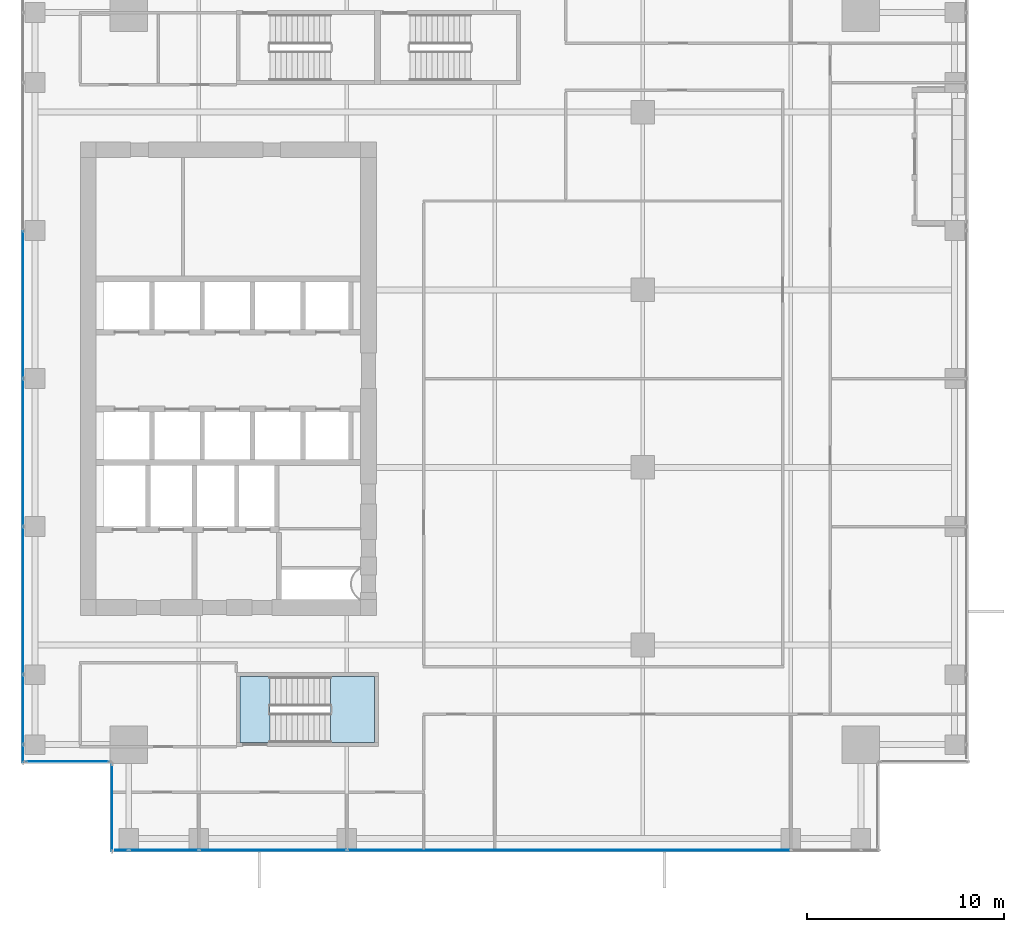
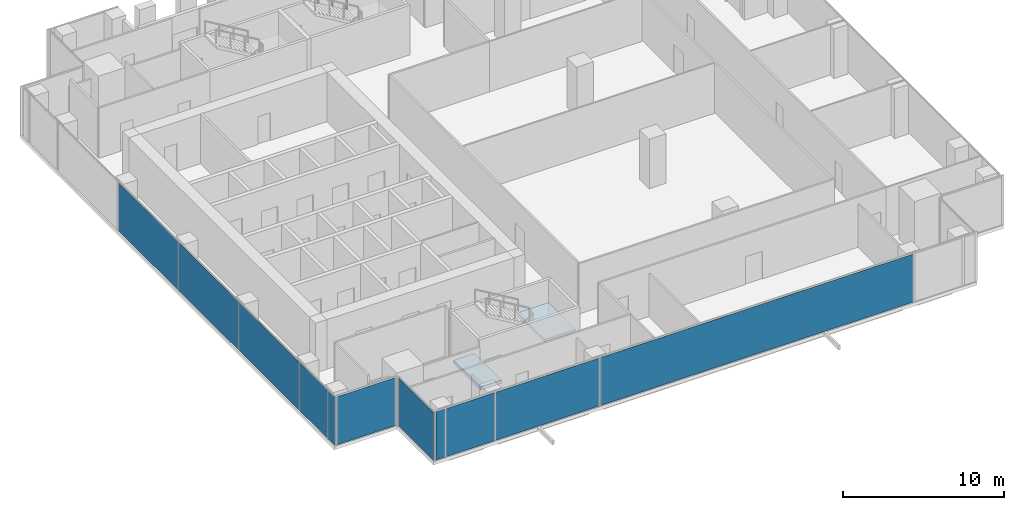
# One storey, part 29 of 40: 11 plates, 2 slabs, 5 elements without a shape of their own.
"""IFC4 building model written with IfcOpenShell, lengths in metres."""

from ifc_helpers import new_model, si_unit, direction, frame, origin, origin_2d, place, context, subcontext, project, spatial, polyline, rectangle, outline, extrude, source, transform, mapped, material, layer, layer_set, type_object, element, aggregate, save


model = new_model("IFC4")

# Units and contexts
model_context = context("Model", 3, precision=1e-05, world=origin(), true_north=direction((0.0, 1.0)))
body_context = subcontext(model_context, "Body", "Model", "MODEL_VIEW")
ifc_project = project(units=[si_unit("LENGTHUNIT", "METRE"), si_unit("AREAUNIT", "SQUARE_METRE"), si_unit("VOLUMEUNIT", "CUBIC_METRE"), si_unit("PLANEANGLEUNIT", "RADIAN"), si_unit("MASSUNIT", "GRAM", prefix="KILO")], contexts=[model_context])

# Site, building, storey
site_placement = place(None, origin())
site = spatial("IfcSite", under=ifc_project, at=site_placement, CompositionType="ELEMENT")
building_placement = place(site_placement, origin())
building = spatial("IfcBuilding", under=site, at=building_placement, Name="Khomas Fold Tower", CompositionType="ELEMENT")
storey_placement = place(building_placement, frame((0.0, 0.0, 192.699951171875)))
storey = spatial("IfcBuildingStorey", under=building, at=storey_placement, Name="L42", CompositionType="ELEMENT", Elevation=192.699951171875)

# Curtain wall, plate
ifc_material_1 = material(Name="Aluminium framed double glazing", Category="aluminium")
curtain_wall_type = type_object("IfcCurtainWallType", Name="SK-Unitised clear-glass wall, office floors CW2", PredefinedType="NOTDEFINED", material=ifc_material_1)
curtain_wall_1_placement = place(storey_placement, origin())
curtain_wall_1 = element("IfcCurtainWall", 1, at=curtain_wall_1_placement, inside=storey, type_object=curtain_wall_type, Name="CW2 corner return L42 11", PredefinedType="NOTDEFINED")
ifc_material_2 = material(Name="Clear double glazed unit")
ifc_layer_1 = layer(ifc_material_2, 0.030029296875)
ifc_layer_set_1 = layer_set([ifc_layer_1], Name="Clear double glazed unit")
plate_type = type_object("IfcPlateType", Name="SK-Unitised clear-glass wall, office floors glass panel CW2-P", PredefinedType="CURTAIN_PANEL", material=ifc_layer_set_1)
shared_shape_1 = source(origin(), body_context, "Body", "SweptSolid", [
    extrude(rectangle(XDim=4.3798828125, YDim=0.030029296875, at=origin_2d()), origin(), (0.0, 0.0, 1.0), 3.639892578125),
])
plate_1_placement = place(storey_placement, frame((7.60009765625, 5.25, 0.0), z_axis=(0.0, 0.0, 1.0), x_axis=(0.0, -1.0, 0.0)))
plate_1 = element("IfcPlate", 2, at=plate_1_placement, type_object=plate_type, Name="CW2 glass panel 1", PredefinedType="CURTAIN_PANEL", context=body_context, shape_type="MappedRepresentation", body=[
    mapped(shared_shape_1, transform((0.0, 0.0, 0.0))),
])
aggregate(curtain_wall_1, [plate_1])

# Curtain wall, plates
curtain_wall_2_placement = place(storey_placement, origin())
curtain_wall_2 = element("IfcCurtainWall", 3, at=curtain_wall_2_placement, inside=storey, type_object=curtain_wall_type, Name="CW2 run L42 00-0", PredefinedType="NOTDEFINED")
shared_shape_2 = source(origin(), body_context, "Body", "SweptSolid", [
    extrude(rectangle(XDim=0.659912109375, YDim=0.030029296875, at=origin_2d()), origin(), (0.0, 0.0, 1.0), 3.639892578125),
])
plate_2_placement = place(storey_placement, frame((8.090087890625, 3.10009765625, 0.0), z_axis=(0.0, 0.0, 1.0), x_axis=(1.0, 0.0, 0.0)))
plate_2 = element("IfcPlate", 4, at=plate_2_placement, type_object=plate_type, Name="CW2 glass panel 1", PredefinedType="CURTAIN_PANEL", context=body_context, shape_type="MappedRepresentation", body=[
    mapped(shared_shape_2, transform((0.0, 0.0, 0.0))),
])
shared_shape_3 = source(origin(), body_context, "Body", "SweptSolid", [
    extrude(rectangle(XDim=3.489990234375, YDim=0.030029296875, at=origin_2d()), origin(), (0.0, 0.0, 1.0), 3.639892578125),
])
plate_3_placement = place(storey_placement, frame((10.22509765625, 3.10009765625, 0.0), z_axis=(0.0, 0.0, 1.0), x_axis=(1.0, 0.0, 0.0)))
plate_3 = element("IfcPlate", 5, at=plate_3_placement, type_object=plate_type, Name="CW2 glass panel 2", PredefinedType="CURTAIN_PANEL", context=body_context, shape_type="MappedRepresentation", body=[
    mapped(shared_shape_3, transform((0.0, 0.0, 0.0))),
])

# Curtain wall, plate
curtain_wall_3_placement = place(storey_placement, origin())
curtain_wall_3 = element("IfcCurtainWall", 6, at=curtain_wall_3_placement, inside=storey, type_object=curtain_wall_type, Name="CW2 run L42 09-0", PredefinedType="NOTDEFINED")
plate_4_placement = place(storey_placement, frame((3.10009765625, 10.22509765625, 0.0), z_axis=(0.0, 0.0, 1.0), x_axis=(0.0, -1.0, 0.0)))
plate_4 = element("IfcPlate", 7, at=plate_4_placement, type_object=plate_type, Name="CW2 glass panel 7", PredefinedType="CURTAIN_PANEL", context=body_context, shape_type="MappedRepresentation", body=[
    mapped(shared_shape_3, transform((0.0, 0.0, 0.0))),
])

# Plate
shared_shape_4 = source(origin(), body_context, "Body", "SweptSolid", [
    extrude(rectangle(XDim=7.43994140625, YDim=0.030029296875, at=origin_2d()), origin(), (0.0, 0.0, 1.0), 3.639892578125),
])
plate_5_placement = place(storey_placement, frame((15.75, 3.10009765625, 0.0), z_axis=(0.0, 0.0, 1.0), x_axis=(1.0, 0.0, 0.0)))
plate_5 = element("IfcPlate", 8, at=plate_5_placement, type_object=plate_type, Name="CW2 glass panel 3", PredefinedType="CURTAIN_PANEL", context=body_context, shape_type="MappedRepresentation", body=[
    mapped(shared_shape_4, transform((0.0, 0.0, 0.0))),
])

plate_6_placement = place(storey_placement, frame((3.10009765625, 30.75, 0.0), z_axis=(0.0, 0.0, 1.0), x_axis=(0.0, -1.0, 0.0)))
plate_6 = element("IfcPlate", 9, at=plate_6_placement, type_object=plate_type, Name="CW2 glass panel 4", PredefinedType="CURTAIN_PANEL", context=body_context, shape_type="MappedRepresentation", body=[
    mapped(shared_shape_4, transform((0.0, 0.0, 0.0))),
])

plate_7_placement = place(storey_placement, frame((3.10009765625, 23.25, 0.0), z_axis=(0.0, 0.0, 1.0), x_axis=(0.0, -1.0, 0.0)))
plate_7 = element("IfcPlate", 10, at=plate_7_placement, type_object=plate_type, Name="CW2 glass panel 5", PredefinedType="CURTAIN_PANEL", context=body_context, shape_type="MappedRepresentation", body=[
    mapped(shared_shape_4, transform((0.0, 0.0, 0.0))),
])

plate_8_placement = place(storey_placement, frame((3.10009765625, 15.75, 0.0), z_axis=(0.0, 0.0, 1.0), x_axis=(0.0, -1.0, 0.0)))
plate_8 = element("IfcPlate", 11, at=plate_8_placement, type_object=plate_type, Name="CW2 glass panel 6", PredefinedType="CURTAIN_PANEL", context=body_context, shape_type="MappedRepresentation", body=[
    mapped(shared_shape_4, transform((0.0, 0.0, 0.0))),
])

# Curtain wall, plate
curtain_wall_4_placement = place(storey_placement, origin())
curtain_wall_4 = element("IfcCurtainWall", 12, at=curtain_wall_4_placement, inside=storey, type_object=curtain_wall_type, Name="CW2 corner return L42 10", PredefinedType="NOTDEFINED")
shared_shape_5 = source(origin(), body_context, "Body", "SweptSolid", [
    extrude(rectangle(XDim=4.179931640625, YDim=0.030029296875, at=origin_2d()), origin(), (0.0, 0.0, 1.0), 3.639892578125),
])
plate_9_placement = place(storey_placement, frame((5.35009765625, 7.60009765625, 0.0), z_axis=(0.0, 0.0, 1.0), x_axis=(1.0, 0.0, 0.0)))
plate_9 = element("IfcPlate", 13, at=plate_9_placement, type_object=plate_type, Name="CW2 glass panel 1", PredefinedType="CURTAIN_PANEL", context=body_context, shape_type="MappedRepresentation", body=[
    mapped(shared_shape_5, transform((0.0, 0.0, 0.0))),
])
aggregate(curtain_wall_4, [plate_9])

# Plate
shared_shape_6 = source(origin(), body_context, "Body", "SweptSolid", [
    extrude(rectangle(XDim=0.860107421875, YDim=0.030029296875, at=origin_2d()), origin(), (0.0, 0.0, 1.0), 3.639892578125),
])
plate_10_placement = place(storey_placement, frame((3.10009765625, 7.989990234375, 0.0), z_axis=(0.0, 0.0, 1.0), x_axis=(0.0, -1.0, 0.0)))
plate_10 = element("IfcPlate", 14, at=plate_10_placement, type_object=plate_type, Name="CW2 glass panel 8", PredefinedType="CURTAIN_PANEL", context=body_context, shape_type="MappedRepresentation", body=[
    mapped(shared_shape_6, transform((0.0, 0.0, 0.0))),
])

aggregate(curtain_wall_3, [plate_6, plate_7, plate_8, plate_4, plate_10])

shared_shape_7 = source(origin(), body_context, "Body", "SweptSolid", [
    extrude(rectangle(XDim=22.43994140625, YDim=0.030029296875, at=origin_2d()), origin(), (0.0, 0.0, 1.0), 3.639892578125),
])
plate_11_placement = place(storey_placement, frame((30.75, 3.10009765625, 0.0), z_axis=(0.0, 0.0, 1.0), x_axis=(1.0, 0.0, 0.0)))
plate_11 = element("IfcPlate", 15, at=plate_11_placement, type_object=plate_type, Name="CW2 glass panel 4", PredefinedType="CURTAIN_PANEL", context=body_context, shape_type="MappedRepresentation", body=[
    mapped(shared_shape_7, transform((0.0, 0.0, 0.0))),
])

aggregate(curtain_wall_2, [plate_2, plate_3, plate_5, plate_11])

# Stair, slab
ifc_material_3 = material(Name="Concrete C40/50", Category="concrete")
stair_type = type_object("IfcStairType", Name="Stair ST2", PredefinedType="HALF_TURN_STAIR", material=ifc_material_3)
stair_placement = place(storey_placement, origin())
stair = element("IfcStair", 16, at=stair_placement, inside=storey, type_object=stair_type, Name="L42 ST2", PredefinedType="HALF_TURN_STAIR")
ifc_material_4 = material(Name="Concrete C40/50", Category="concrete")
ifc_layer_2 = layer(ifc_material_4, 0.199951171875)
ifc_layer_set_2 = layer_set([ifc_layer_2], Name="Concrete C40/50")
slab_type_1 = type_object("IfcSlabType", Name="Stair landing 200", PredefinedType="LANDING", material=ifc_layer_set_2)
shared_shape_8 = source(origin(), body_context, "Body", "SweptSolid", [
    extrude(outline(polyline([(18.679931640625, 8.550048828125), (20.89990234375, 8.550048828125), (20.89990234375, 11.89990234375), (18.679931640625, 11.89990234375), (18.679931640625, 8.550048828125)])), origin(), (0.0, 0.0, 1.0), 0.199951171875),
])
slab_1_placement = place(storey_placement, frame((0.0, 0.0, 1.800048828125)))
slab_1 = element("IfcSlab", 17, at=slab_1_placement, type_object=slab_type_1, Name="ST2 landing 1", PredefinedType="LANDING", context=body_context, shape_type="MappedRepresentation", body=[
    mapped(shared_shape_8, transform((0.0, 0.0, 0.0))),
])
aggregate(stair, [slab_1])

# Slab
ifc_material_5 = material(Name="Concrete C40/50", Category="concrete")
ifc_layer_3 = layer(ifc_material_5, 0.25)
ifc_layer_set_3 = layer_set([ifc_layer_3], Name="Concrete C40/50")
slab_type_2 = type_object("IfcSlabType", Name="Stair floor landing 250", PredefinedType="LANDING", material=ifc_layer_set_3)
shared_shape_9 = source(origin(), body_context, "Body", "SweptSolid", [
    extrude(outline(polyline([(15.60009765625, 8.550048828125), (14.10009765625, 8.550048828125), (14.10009765625, 11.89990234375), (15.60009765625, 11.89990234375), (15.60009765625, 8.550048828125)])), origin(), (0.0, 0.0, 1.0), 0.25),
])
slab_2_placement = place(storey_placement, frame((0.0, 0.0, -0.25)))
element("IfcSlab", 18, at=slab_2_placement, inside=storey, type_object=slab_type_2, Name="ST2 floor landing", PredefinedType="LANDING", context=body_context, shape_type="MappedRepresentation", body=[
    mapped(shared_shape_9, transform((0.0, 0.0, 0.0))),
])

save(model, "model.ifc")
